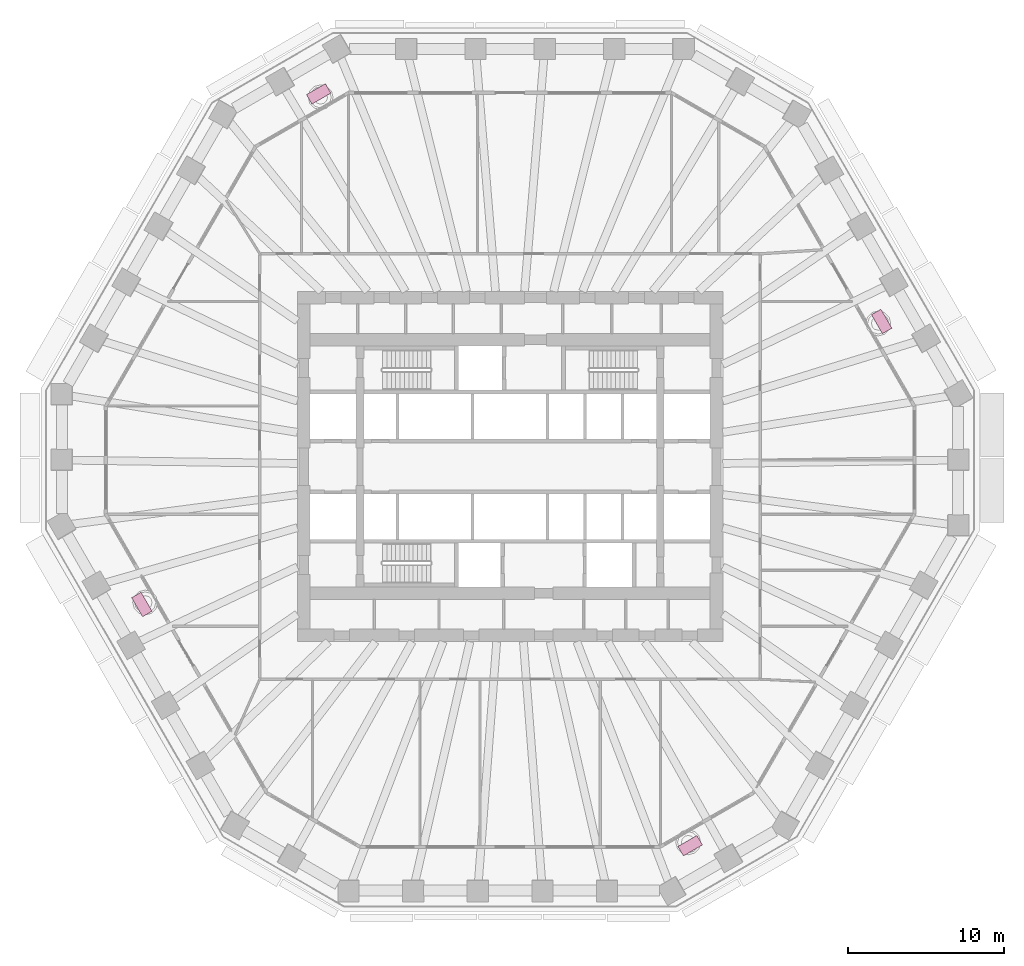
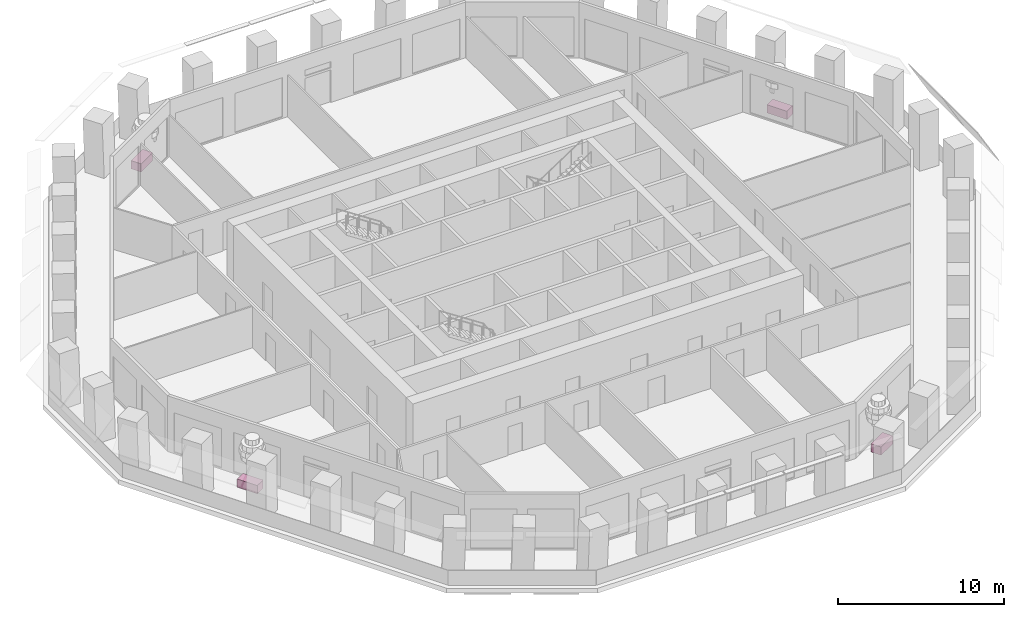
# One storey, part 12 of 13: 4 furniture elements.
"""IFC4 building model written with IfcOpenShell, lengths in metres."""

import ifcopenshell
import ifcopenshell.guid

model = None  # the IFC model being written
_history = None  # IfcOwnerHistory: only IFC2X3 demands one
_inside = {}  # id of a spatial element -> (the spatial element, [elements in it])
_under = {}  # id of a project, library or spatial element -> (it, [spatial elements below it])
_declared = {}  # id of a project -> (the project, [libraries it declares])
_typed = {}  # id of a type object -> (the type object, [elements of that type])
_made_of = {}  # id of a material, layer set ... -> (it, [elements and type objects made of it])


def new_model(schema):
    """Start an empty IFC model of exactly this schema.

    Asked for "IFC4X3", IfcOpenShell would pick the latest addendum, in which some entities
    have other attributes; the version numbers below select the first issue.
    IFC2X3 requires an IfcOwnerHistory on every rooted entity: one is made here for all.
    """
    global model, _history
    if schema == "IFC4X3":
        model = ifcopenshell.file(schema_version=(4, 3, 0, 0))
    else:
        model = ifcopenshell.file(schema=schema)
    _inside.clear()
    _under.clear()
    _declared.clear()
    _typed.clear()
    _made_of.clear()
    _history = None
    if model.schema == "IFC2X3":
        org = make("IfcOrganization", Name="unknown")
        user = make(
            "IfcPersonAndOrganization",
            ThePerson=make("IfcPerson", FamilyName="unknown"),
            TheOrganization=org,
        )
        app = make(
            "IfcApplication",
            ApplicationDeveloper=org,
            Version="unknown",
            ApplicationFullName="unknown",
            ApplicationIdentifier="unknown",
        )
        _history = make(
            "IfcOwnerHistory",
            OwningUser=user,
            OwningApplication=app,
            ChangeAction="ADDED",
            CreationDate=0,
        )
    return model


def make(cls, **values):
    """One entity of the class cls with the attributes given. An attribute that is None is left unset."""
    return model.create_entity(
        cls, **{name: value for name, value in values.items() if value is not None}
    )


def rooted(cls, **values):
    """An entity with a GlobalId (a new one), such as an element, a storey or a relation."""
    return make(cls, GlobalId=ifcopenshell.guid.new(), OwnerHistory=_history, **values)


def si_unit(unit_type, name, prefix=None):
    """IfcSIUnit, for example si_unit("LENGTHUNIT", "METRE", prefix="MILLI")."""
    return make("IfcSIUnit", UnitType=unit_type, Prefix=prefix, Name=name)


def assignment(units):
    """IfcUnitAssignment: the units of a project."""
    return None if units is None else make("IfcUnitAssignment", Units=units)


def point(xyz):
    """IfcCartesianPoint."""
    return None if xyz is None else make("IfcCartesianPoint", Coordinates=xyz)


def direction(xyz):
    """IfcDirection."""
    return None if xyz is None else make("IfcDirection", DirectionRatios=xyz)


def frame(location, z_axis=None, x_axis=None):
    """IfcAxis2Placement3D, a coordinate frame: its origin and axes. An axis left out is left unset."""
    return make(
        "IfcAxis2Placement3D",
        Location=point(location),
        Axis=direction(z_axis),
        RefDirection=direction(x_axis),
    )


def frame_2d(location, x_axis=None):
    """IfcAxis2Placement2D, a coordinate frame in the plane: its origin and x axis."""
    return make(
        "IfcAxis2Placement2D", Location=point(location), RefDirection=direction(x_axis)
    )


def origin():
    """The frame at (0, 0, 0) with its axes left unset."""
    return frame((0.0, 0.0, 0.0))


def origin_2d():
    """The frame at (0, 0) in the plane with its x axis left unset."""
    return frame_2d((0.0, 0.0))


def place(relative_to, where):
    """IfcLocalPlacement: puts the frame where relative to a parent placement (None: the world)."""
    return make(
        "IfcLocalPlacement", PlacementRelTo=relative_to, RelativePlacement=where
    )


def context(
    kind, dimensions, precision=None, world=None, true_north=None, identifier=None
):
    """IfcGeometricRepresentationContext, for example the 3D "Model" context."""
    return make(
        "IfcGeometricRepresentationContext",
        ContextIdentifier=identifier,
        ContextType=kind,
        CoordinateSpaceDimension=dimensions,
        Precision=precision,
        WorldCoordinateSystem=world,
        TrueNorth=true_north,
    )


def subcontext(parent, identifier, kind, view, scale=None):
    """IfcGeometricRepresentationSubContext, for example "Body" below "Model"."""
    return make(
        "IfcGeometricRepresentationSubContext",
        ContextIdentifier=identifier,
        ContextType=kind,
        ParentContext=parent,
        TargetScale=scale,
        TargetView=view,
    )


def project(units=None, contexts=None):
    """IfcProject with its units and contexts."""
    return rooted(
        "IfcProject",
        Name="project",
        RepresentationContexts=contexts,
        UnitsInContext=assignment(units),
    )


def spatial(cls, under=None, at=None, **own):
    """A site, building, storey or space (cls), placed at a placement, below another one or the project."""
    s = rooted(cls, ObjectPlacement=at, **own)
    if under is not None:
        _under.setdefault(under.id(), (under, []))[1].append(s)
    return s


def profile(cls, at=None, kind="AREA", **sizes):
    """A parametric profile (cls). Its sizes go by their IFC names, for example OverallWidth=200.0."""
    return make(cls, ProfileType=kind, Position=at, **sizes)


def rectangle(**sizes):
    """IfcRectangleProfileDef."""
    return profile("IfcRectangleProfileDef", **sizes)


def extrude(swept, where, along, depth):
    """IfcExtrudedAreaSolid: the profile swept, set in the frame where, extruded along a direction by depth."""
    return make(
        "IfcExtrudedAreaSolid",
        SweptArea=swept,
        Position=where,
        ExtrudedDirection=direction(along),
        Depth=depth,
    )


def shape(context_of_items, identifier, shape_type, items):
    """IfcShapeRepresentation: the items that make up one representation, for example the "Body"."""
    return make(
        "IfcShapeRepresentation",
        ContextOfItems=context_of_items,
        RepresentationIdentifier=identifier,
        RepresentationType=shape_type,
        Items=items,
    )


def material(Name=None, Category=None):
    """IfcMaterial."""
    return make("IfcMaterial", Name=Name, Category=Category)


def made_of(thing, what):
    """Note that an element or type object is made of a material, layer set ...; save() writes the relation."""
    if what is not None:
        _made_of.setdefault(what.id(), (what, []))[1].append(thing)
    return thing


def type_object(cls, material=None, **own):
    """A type object (cls), such as IfcWallType, which elements share."""
    return made_of(rooted(cls, **own), material)


def element(
    cls,
    number,
    at=None,
    inside=None,
    cuts=None,
    type_object=None,
    material=None,
    context=None,
    identifier="Body",
    shape_type=None,
    held_by="IfcProductDefinitionShape",
    body=None,
    shapes=None,
    **own,
):
    """One element of the class cls, such as IfcWall. Its Tag is "e" and its number.

    at: its placement. inside: the storey or other place that contains it. cuts: it is an
    opening in that element (IfcRelVoidsElement). A single representation is given by context,
    identifier, shape_type and body (its items); several are given by shapes. held_by: the class
    of the entity that holds the representations. save() writes the other relations.
    """
    e = rooted(cls, Tag="e%d" % number, ObjectPlacement=at, **own)
    if body is not None:
        shapes = [shape(context, identifier, shape_type, body)]
    if shapes is not None:
        e.Representation = make(held_by, Representations=shapes)
    if inside is not None:
        _inside.setdefault(inside.id(), (inside, []))[1].append(e)
    if cuts is not None:
        rooted(
            "IfcRelVoidsElement", RelatingBuildingElement=cuts, RelatedOpeningElement=e
        )
    if type_object is not None:
        _typed.setdefault(type_object.id(), (type_object, []))[1].append(e)
    return made_of(e, material)


def aggregate(whole, parts):
    """IfcRelAggregates: a whole, such as a stair, and the parts it consists of."""
    return rooted("IfcRelAggregates", RelatingObject=whole, RelatedObjects=parts)


def save(model, path):
    """Write the relations noted so far, then the file.

    IfcRelAggregates (storeys below a building ...), IfcRelContainedInSpatialStructure (elements
    in a storey), IfcRelDefinesByType, IfcRelAssociatesMaterial and IfcRelDeclares: one each for
    every whole, place, type object, material and project.
    """
    for whole, parts in _under.values():
        aggregate(whole, parts)
    for where, things in _inside.values():
        rooted(
            "IfcRelContainedInSpatialStructure",
            RelatedElements=things,
            RelatingStructure=where,
        )
    for kind, things in _typed.values():
        rooted("IfcRelDefinesByType", RelatedObjects=things, RelatingType=kind)
    for what, things in _made_of.values():
        rooted("IfcRelAssociatesMaterial", RelatedObjects=things, RelatingMaterial=what)
    for by, libraries in _declared.values():
        rooted("IfcRelDeclares", RelatingContext=by, RelatedDefinitions=libraries)
    model.write(path)


model = new_model("IFC4")

# Units and contexts
model_context = context("Model", 3, precision=1e-05, world=origin(), true_north=direction((0.0, 1.0)))
body_context = subcontext(model_context, "Body", "Model", "MODEL_VIEW")
ifc_project = project(units=[si_unit("LENGTHUNIT", "METRE"), si_unit("AREAUNIT", "SQUARE_METRE"), si_unit("VOLUMEUNIT", "CUBIC_METRE"), si_unit("PLANEANGLEUNIT", "RADIAN"), si_unit("MASSUNIT", "GRAM", prefix="KILO")], contexts=[model_context])

# Site, building, storey
site_placement = place(None, origin())
site = spatial("IfcSite", under=ifc_project, at=site_placement, CompositionType="ELEMENT")
building_placement = place(site_placement, origin())
building = spatial("IfcBuilding", under=site, at=building_placement, Name="Frailejon Research Tower", CompositionType="ELEMENT")
storey_placement = place(building_placement, frame((0.0, 0.0, 94.0)))
storey = spatial("IfcBuildingStorey", under=building, at=storey_placement, Name="L20", CompositionType="ELEMENT", Elevation=94.0)

# Furniture
ifc_material = material(Name="Precast concrete C30/37 planter, terracotta", Category="masonry")
furniture_type = type_object("IfcFurnitureType", Name="Loggia planter 1400x700", AssemblyPlace="NOTDEFINED", PredefinedType="USERDEFINED", material=ifc_material)
for number, where, z_axis, x_axis, name in (
    (1, (23.760009765625, 9.27587890625, 0.0), (0.0, 0.0, 1.0), (-0.5, 0.866025403784, 0.0), "Planter L20"),
    (2, (-12.2353515625, 23.826904296875, 0.0), (0.0, 0.0, 1.0), (-0.866025403784, -0.5, 0.0), "Planter L20"),
    (3, (-23.54443359375, -8.819580078125, 0.0), (0.0, 0.0, 1.0), (0.5, -0.866025403784, 0.0), "Planter L20"),
    (4, (11.516845703125, -24.24169921875, 0.0), (0.0, 0.0, 1.0), (0.866025403784, 0.5, 0.0), "Planter L20"),
):
    element("IfcFurniture", number, at=place(storey_placement, frame(where, z_axis=z_axis, x_axis=x_axis)), inside=storey, type_object=furniture_type, Name=name, ObjectType="PLANTER", PredefinedType="USERDEFINED", context=body_context, shape_type="SweptSolid", body=[
        extrude(rectangle(XDim=1.39990234375, YDim=0.699951171875, at=origin_2d()), origin(), (0.0, 0.0, 1.0), 0.60009765625),
    ])

save(model, "model.ifc")
